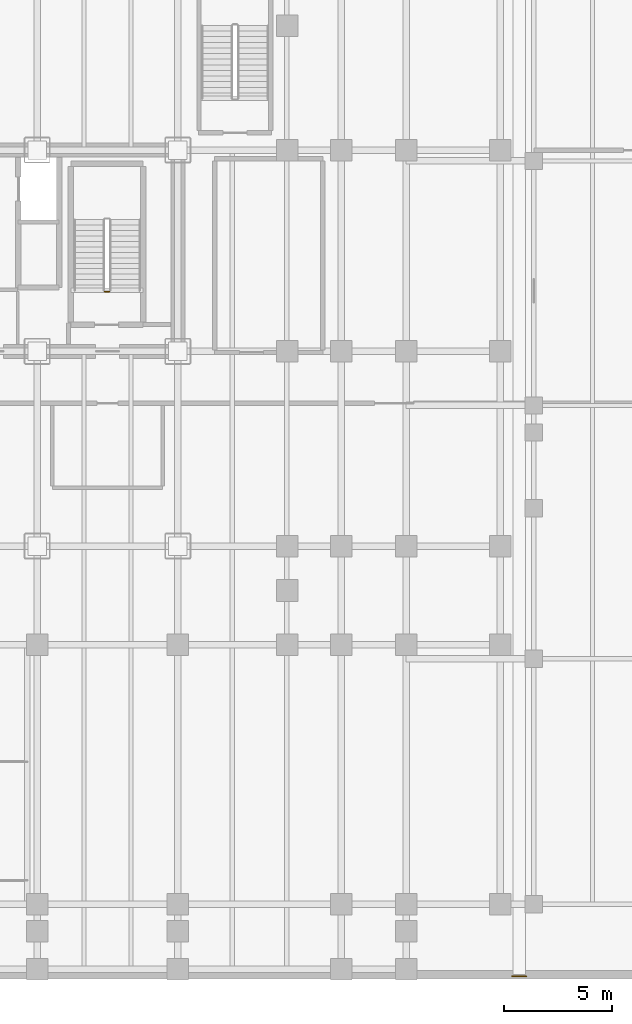
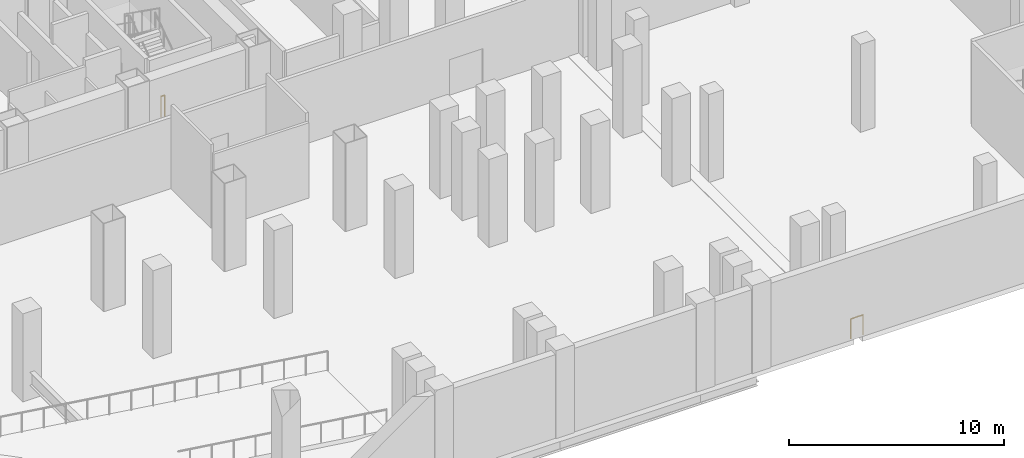
# One storey, part 14 of 18: 2 railings.
"""IFC4 building model written with IfcOpenShell, lengths in metres."""

from ifc_helpers import new_model, si_unit, direction, frame, origin, origin_2d, place, context, subcontext, project, spatial, circle, extrude, material, layer, layer_set, type_object, element, save


model = new_model("IFC4")

# Units and contexts
model_context = context("Model", 3, precision=1e-05, world=origin(), true_north=direction((0.0, 1.0)))
body_context = subcontext(model_context, "Body", "Model", "MODEL_VIEW")
ifc_project = project(units=[si_unit("LENGTHUNIT", "METRE"), si_unit("AREAUNIT", "SQUARE_METRE"), si_unit("VOLUMEUNIT", "CUBIC_METRE"), si_unit("PLANEANGLEUNIT", "RADIAN"), si_unit("MASSUNIT", "GRAM", prefix="KILO")], contexts=[model_context])

# Site, building, storey
site_placement = place(None, origin())
site = spatial("IfcSite", under=ifc_project, at=site_placement, CompositionType="ELEMENT")
building_placement = place(site_placement, origin())
building = spatial("IfcBuilding", under=site, at=building_placement, Name="Noeulbin Bourse Tower", CompositionType="ELEMENT")
storey_placement = place(building_placement, frame((0.0, 0.0, -5.0)))
storey = spatial("IfcBuildingStorey", under=building, at=storey_placement, Name="B01", CompositionType="ELEMENT", Elevation=-5.0)

# Railings
ifc_material_1 = material(Name="Galvanised Tubular Steel S355", Category="steel")
ifc_layer_1 = layer(ifc_material_1, 0.06005859375)
ifc_layer_set_1 = layer_set([ifc_layer_1], Name="Galvanised Tubular Steel S355")
railing_type_1 = type_object("IfcRailingType", Name="RLG-RMP-1100", PredefinedType="GUARDRAIL", material=ifc_layer_set_1)
railing_1_placement = place(storey_placement, frame((59.449951171875, 0.1201171875, 0.0)))
element("IfcRailing", 1, at=railing_1_placement, inside=storey, type_object=railing_type_1, Name="Seismic Joint Edge Guard B01-S", PredefinedType="GUARDRAIL", context=body_context, shape_type="SweptSolid", body=[
    extrude(circle(Radius=0.02392578125, at=origin_2d()), frame((0.0, 0.0, 1.1259765625), z_axis=(1.0, 0.0, 0.0), x_axis=(0.0, 1.0, 0.0)), (0.0, 0.0, 1.0), 0.650146484375),
    extrude(circle(Radius=0.02099609375, at=origin_2d()), origin(), (0.0, 0.0, 1.0), 1.101806640625),
    extrude(circle(Radius=0.02099609375, at=origin_2d()), frame((0.650146484375, 0.0, 0.0)), (0.0, 0.0, 1.0), 1.101806640625),
])
ifc_material_2 = material(Name="Painted Tubular Steel S355", Category="steel")
ifc_layer_2 = layer(ifc_material_2, 0.048095703125)
ifc_layer_set_2 = layer_set([ifc_layer_2], Name="Painted Tubular Steel S355")
railing_type_2 = type_object("IfcRailingType", Name="RLG-STR-GRD", PredefinedType="GUARDRAIL", material=ifc_layer_set_2)
railing_2_placement = place(storey_placement, frame((40.830078125, 31.760009765625, 0.0)))
element("IfcRailing", 2, at=railing_2_placement, inside=storey, type_object=railing_type_2, Name="B01 ST-2 stair guard 4", PredefinedType="GUARDRAIL", context=body_context, shape_type="SweptSolid", body=[
    extrude(circle(Radius=0.02392578125, at=origin_2d()), frame((0.0, 0.0, 1.17578125), z_axis=(-1.0, 0.0, 0.0), x_axis=(0.0, -1.0, 0.0)), (0.0, 0.0, 1.0), 0.2001953125),
    extrude(circle(Radius=0.02099609375, at=origin_2d()), origin(), (0.0, 0.0, 1.0), 1.15185546875),
    extrude(circle(Radius=0.02099609375, at=origin_2d()), frame((-0.2001953125, 0.0, 0.0)), (0.0, 0.0, 1.0), 1.15185546875),
])

save(model, "model.ifc")
